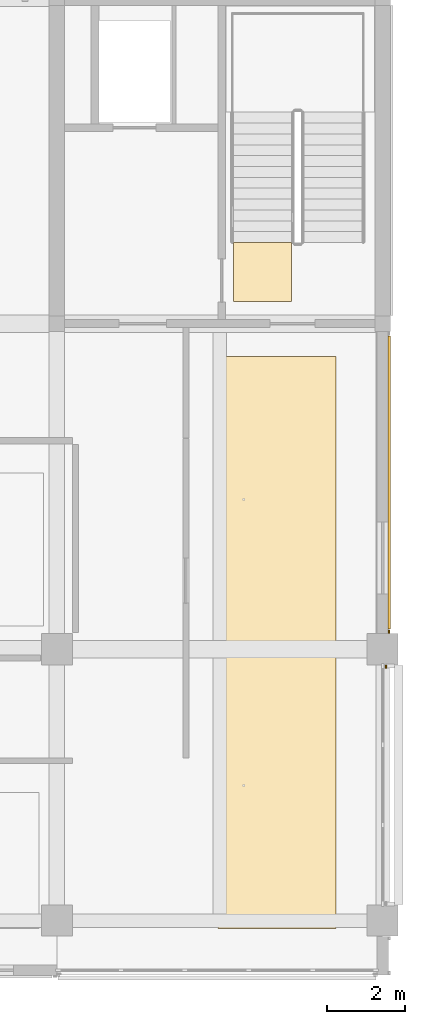
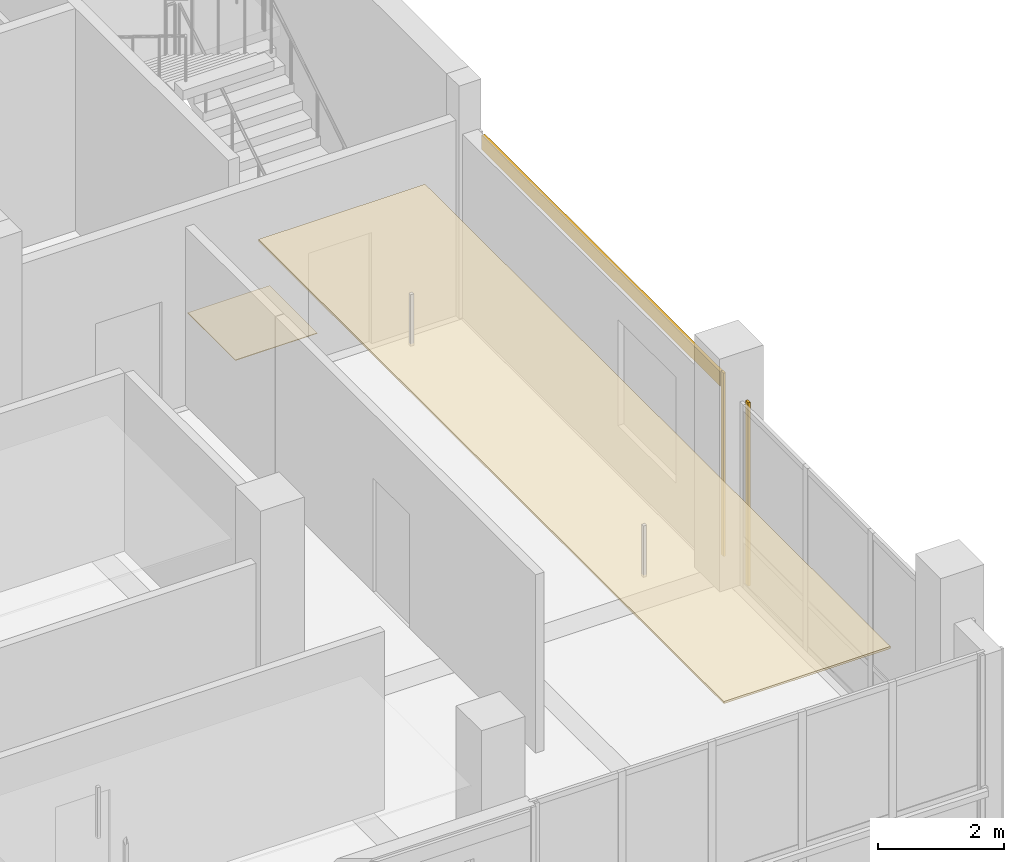
# One storey, part 29 of 34: 5 coverings.
"""IFC4 building model written with IfcOpenShell, lengths in metres."""

from ifc_helpers import new_model, si_unit, direction, frame, origin, origin_2d, place, context, subcontext, project, spatial, polyline, rectangle, outline, extrude, material, layer, layer_set, type_object, element, save


model = new_model("IFC4")

# Units and contexts
model_context = context("Model", 3, precision=1e-05, world=origin(), true_north=direction((0.0, 1.0)))
body_context = subcontext(model_context, "Body", "Model", "MODEL_VIEW")
ifc_project = project(units=[si_unit("LENGTHUNIT", "METRE"), si_unit("AREAUNIT", "SQUARE_METRE"), si_unit("VOLUMEUNIT", "CUBIC_METRE"), si_unit("PLANEANGLEUNIT", "RADIAN"), si_unit("MASSUNIT", "GRAM", prefix="KILO")], contexts=[model_context])

# Site, building, storey
site_placement = place(None, origin())
site = spatial("IfcSite", under=ifc_project, at=site_placement, CompositionType="ELEMENT")
building_placement = place(site_placement, origin())
building = spatial("IfcBuilding", under=site, at=building_placement, Name="Telukmera Botanical Conservatory", CompositionType="ELEMENT")
storey_placement = place(building_placement, frame((0.0, 0.0, 37.5)))
storey = spatial("IfcBuildingStorey", under=building, at=storey_placement, Name="L08", CompositionType="ELEMENT", Elevation=37.5)

# Coverings
ifc_material_1 = material(Name="Perforated gypsum acoustic ceiling")
ifc_layer_1 = layer(ifc_material_1, 0.0400390625)
ifc_layer_set_1 = layer_set([ifc_layer_1], Name="Perforated gypsum acoustic ceiling")
covering_type_1 = type_object("IfcCoveringType", Name="COV-CEIL-40", PredefinedType="CEILING", material=ifc_layer_set_1)
covering_1_placement = place(storey_placement, frame((0.0, 0.0, 3.31005859375)))
element("IfcCovering", 1, at=covering_1_placement, inside=storey, type_object=covering_type_1, Name="L08 East Instrument Calibration Room Suspended Acoustic Ceiling", PredefinedType="CEILING", context=body_context, shape_type="SweptSolid", body=[
    extrude(outline(polyline([(96.550048828125, 10.39990234375), (99.60009765625, 10.39990234375), (99.60009765625, 25.14990234375), (96.550048828125, 25.14990234375), (96.550048828125, 10.39990234375)])), origin(), (0.0, 0.0, 1.0), 0.0400390625),
])
ifc_material_2 = material(Name="Honed granite non-slip flooring", Category="masonry")
ifc_layer_2 = layer(ifc_material_2, 0.011962890625)
ifc_layer_set_2 = layer_set([ifc_layer_2], Name="Honed granite non-slip flooring")
covering_type_2 = type_object("IfcCoveringType", Name="COV-FLR-12", PredefinedType="FLOORING", material=ifc_layer_set_2)
covering_2_placement = place(storey_placement, origin())
element("IfcCovering", 2, at=covering_2_placement, inside=storey, type_object=covering_type_2, Name="L08 ST2 Non-Slip Stair Landing Finish", PredefinedType="FLOORING", context=body_context, shape_type="SweptSolid", body=[
    extrude(outline(polyline([(98.449951171875, 26.570068359375), (98.449951171875, 28.0849609375), (96.949951171875, 28.0849609375), (96.949951171875, 26.570068359375), (98.449951171875, 26.570068359375)])), origin(), (0.0, 0.0, 1.0), 0.011962890625),
])
ifc_material_3 = material(Name="Granite-faced precast concrete C40/50", Category="masonry")
ifc_layer_3 = layer(ifc_material_3, 0.0400390625)
ifc_layer_set_3 = layer_set([ifc_layer_3], Name="Granite-faced precast concrete C40/50")
covering_type_3 = type_object("IfcCoveringType", Name="Granite Precast Column Pier Reveal Casing", PredefinedType="CLADDING", material=ifc_layer_set_3)
for number, where, z_axis, x_axis, name in (
    (3, (100.889892578125, 17.14794921875, 0.0), (0.0, 0.0, 1.0), (0.0, 1.0, 0.0), "Granite Pier Reveal V4:L08:E1 R"),
    (4, (100.9599609375, 18.052001953125, 0.0), (0.0, 0.0, 1.0), (0.0, 1.0, 0.0), "Granite Pier Reveal V4:L08:E2 L"),
):
    element("IfcCovering", number, at=place(storey_placement, frame(where, z_axis=z_axis, x_axis=x_axis)), inside=storey, type_object=covering_type_3, Name=name, PredefinedType="CLADDING", context=body_context, shape_type="SweptSolid", body=[
        extrude(rectangle(XDim=0.080078125, YDim=0.0400390625, at=origin_2d()), origin(), (0.0, 0.0, 1.0), 3.550048828125),
    ])
ifc_material_4 = material(Name="Terracotta-faced precast concrete C40/50", Category="masonry")
ifc_layer_4 = layer(ifc_material_4, 0.06005859375)
ifc_layer_set_4 = layer_set([ifc_layer_4], Name="Terracotta-faced precast concrete C40/50")
covering_type_4 = type_object("IfcCoveringType", Name="Polychrome Terracotta Facade Band Cladding", PredefinedType="CLADDING", material=ifc_layer_set_4)
covering_3_placement = place(storey_placement, frame((100.969970703125, 21.89990234375, 3.22998046875), z_axis=(0.0, 0.0, 1.0), x_axis=(0.0, 1.0, 0.0)))
element("IfcCovering", 5, at=covering_3_placement, inside=storey, type_object=covering_type_4, Name="Polychrome Terracotta Band V4:L08:E2", PredefinedType="CLADDING", context=body_context, shape_type="SweptSolid", body=[
    extrude(rectangle(XDim=7.555908203125, YDim=0.06005859375, at=origin_2d()), origin(), (0.0, 0.0, 1.0), 0.280029296875),
])

save(model, "model.ifc")
